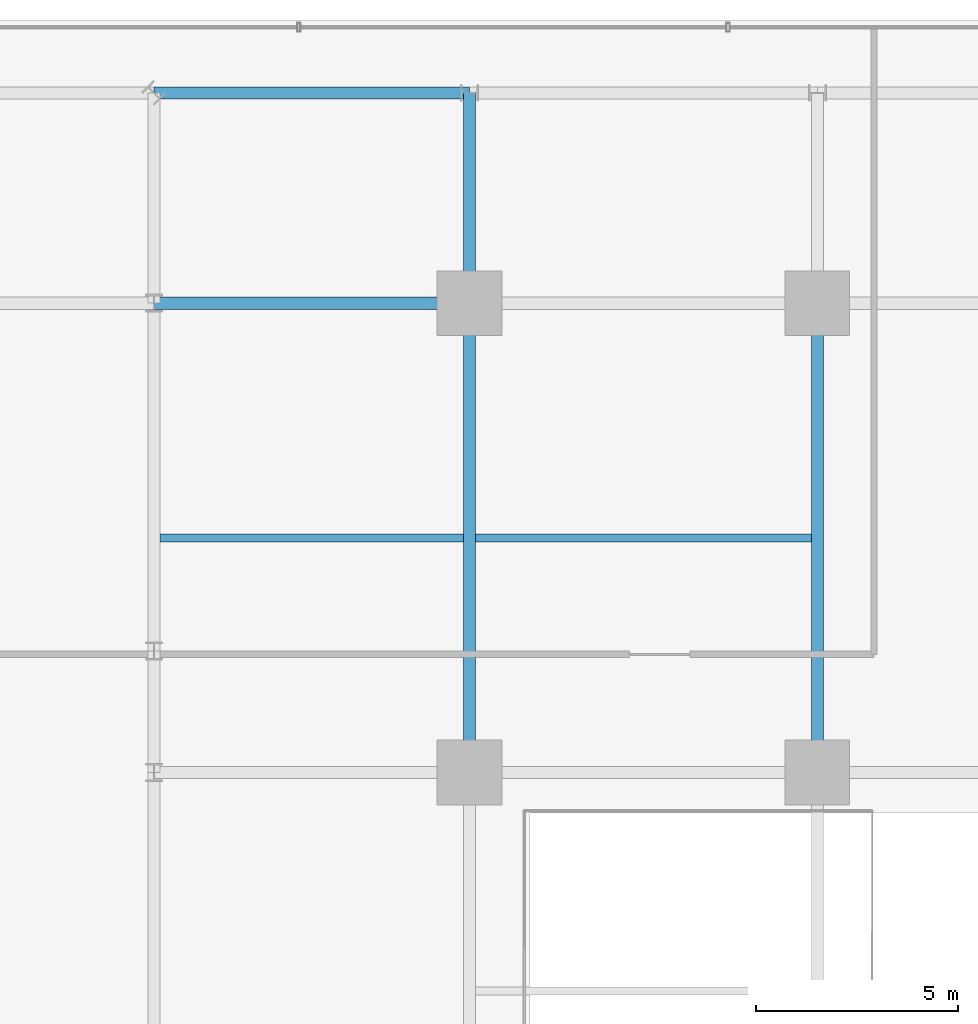
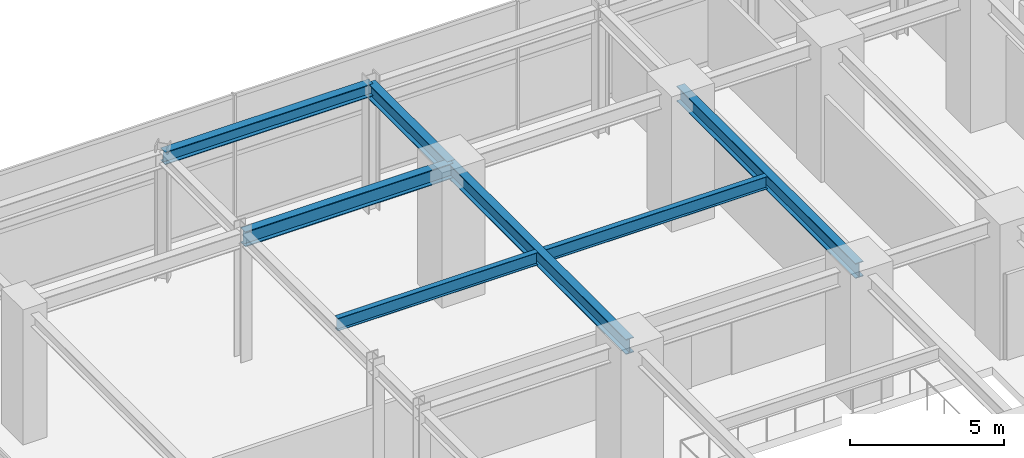
# One storey, part 15 of 32: 7 beams.
"""IFC4 building model written with IfcOpenShell, lengths in metres."""

from ifc_helpers import new_model, si_unit, direction, frame, origin, origin_2d, place, context, subcontext, project, spatial, i_section, extrude, source, transform, mapped, material, material_profile, profile_set, type_object, element, save


model = new_model("IFC4")

# Units and contexts
model_context = context("Model", 3, precision=1e-05, world=origin(), true_north=direction((0.0, 1.0)))
body_context = subcontext(model_context, "Body", "Model", "MODEL_VIEW")
ifc_project = project(units=[si_unit("LENGTHUNIT", "METRE"), si_unit("AREAUNIT", "SQUARE_METRE"), si_unit("VOLUMEUNIT", "CUBIC_METRE"), si_unit("PLANEANGLEUNIT", "RADIAN"), si_unit("MASSUNIT", "GRAM", prefix="KILO")], contexts=[model_context])

# Site, building, storey
site_placement = place(None, origin())
site = spatial("IfcSite", under=ifc_project, at=site_placement, CompositionType="ELEMENT")
building_placement = place(site_placement, origin())
building = spatial("IfcBuilding", under=site, at=building_placement, Name="Nahalor Promenade Grand Hotel", CompositionType="ELEMENT")
storey_placement = place(building_placement, frame((0.0, 0.0, 5.39990234375)))
storey = spatial("IfcBuildingStorey", under=building, at=storey_placement, Name="L01", CompositionType="ELEMENT", Elevation=5.39990234375)

# Beams
ifc_material = material(Name="Steel S355JR", Category="steel")
ifc_material_profile_1 = material_profile(ifc_material, i_section(OverallWidth=0.3, OverallDepth=0.6, WebThickness=0.0155, FlangeThickness=0.03, at=origin_2d()), Name="HEB 600")
ifc_profile_set_1 = profile_set([ifc_material_profile_1], Name="Steel S355JR")
beam_type_1 = type_object("IfcBeamType", Name="Beam-Girder-HEB600", PredefinedType="BEAM", material=ifc_profile_set_1)
shared_shape_1 = source(origin(), body_context, "Body", "SweptSolid", [
    extrude(i_section(OverallWidth=0.3, OverallDepth=0.6, WebThickness=0.0155, FlangeThickness=0.03, at=origin_2d()), origin(), (0.0, 0.0, 1.0), 7.800048828125),
])
beam_1_placement = place(storey_placement, frame((-24.800048828125, 17.0, 4.780029296875), z_axis=(1.0, 0.0, 0.0), x_axis=(0.0, 1.0, 0.0)))
element("IfcBeam", 1, at=beam_1_placement, inside=storey, type_object=beam_type_1, Name="BM-L01-GX-3-1", PredefinedType="BEAM", context=body_context, shape_type="MappedRepresentation", body=[
    mapped(shared_shape_1, transform((0.0, 0.0, 0.0), scale=1.0)),
])
shared_shape_2 = source(origin(), body_context, "Body", "SweptSolid", [
    extrude(i_section(OverallWidth=0.3, OverallDepth=0.6, WebThickness=0.0155, FlangeThickness=0.03, at=origin_2d()), origin(), (0.0, 0.0, 1.0), 5.199951171875),
])
beam_2_placement = place(storey_placement, frame((-17.0, 17.0, 4.780029296875), z_axis=(0.0, 1.0, 0.0), x_axis=(-1.0, 0.0, 0.0)))
element("IfcBeam", 2, at=beam_2_placement, inside=storey, type_object=beam_type_1, Name="BM-L01-GY-0-4", PredefinedType="BEAM", context=body_context, shape_type="MappedRepresentation", body=[
    mapped(shared_shape_2, transform((0.0, 0.0, 0.0), scale=1.0)),
])
shared_shape_3 = source(origin(), body_context, "Body", "SweptSolid", [
    extrude(i_section(OverallWidth=0.3, OverallDepth=0.6, WebThickness=0.0155, FlangeThickness=0.03, at=origin_2d()), origin(), (0.0, 0.0, 1.0), 11.60009765625),
])
for number, where, z_axis, x_axis, name in (
    (3, (-17.0, 5.39990234375, 4.780029296875), (0.0, 1.0, 0.0), (-1.0, 0.0, 0.0), "BM-L01-GY-0-3"),
    (4, (-8.39990234375, 5.39990234375, 4.780029296875), (0.0, 1.0, 0.0), (-1.0, 0.0, 0.0), "BM-L01-GY-1-3"),
):
    element("IfcBeam", number, at=place(storey_placement, frame(where, z_axis=z_axis, x_axis=x_axis)), inside=storey, type_object=beam_type_1, Name=name, PredefinedType="BEAM", context=body_context, shape_type="MappedRepresentation", body=[
        mapped(shared_shape_3, transform((0.0, 0.0, 0.0), scale=1.0)),
    ])
ifc_material_profile_2 = material_profile(ifc_material, i_section(OverallWidth=0.3, OverallDepth=0.5, WebThickness=0.0145, FlangeThickness=0.028, at=origin_2d()), Name="HEB 500")
ifc_profile_set_2 = profile_set([ifc_material_profile_2], Name="Steel S355JR")
beam_type_2 = type_object("IfcBeamType", Name="Beam-Spandrel-HEB500", PredefinedType="SPANDREL", material=ifc_profile_set_2)
shared_shape_4 = source(origin(), body_context, "Body", "SweptSolid", [
    extrude(i_section(OverallWidth=0.3, OverallDepth=0.5, WebThickness=0.0145, FlangeThickness=0.028, at=origin_2d()), origin(), (0.0, 0.0, 1.0), 7.800048828125),
])
beam_3_placement = place(storey_placement, frame((-17.0, 22.199951171875, 4.830078125), z_axis=(-1.0, 0.0, 0.0), x_axis=(0.0, -1.0, 0.0)))
element("IfcBeam", 5, at=beam_3_placement, inside=storey, type_object=beam_type_2, Name="BM-L01-SPC-NW-1", PredefinedType="SPANDREL", context=body_context, shape_type="MappedRepresentation", body=[
    mapped(shared_shape_4, transform((0.0, 0.0, 0.0), scale=1.0)),
])
ifc_material_profile_3 = material_profile(ifc_material, i_section(OverallWidth=0.2, OverallDepth=0.5, WebThickness=0.0102, FlangeThickness=0.016, at=origin_2d()), Name="IPE 500")
ifc_profile_set_3 = profile_set([ifc_material_profile_3], Name="Steel S355JR")
beam_type_3 = type_object("IfcBeamType", Name="Beam-Joist-IPE500", PredefinedType="JOIST", material=ifc_profile_set_3)
shared_shape_5 = source(origin(), body_context, "Body", "SweptSolid", [
    extrude(i_section(OverallWidth=0.2, OverallDepth=0.5, WebThickness=0.0102, FlangeThickness=0.016, at=origin_2d()), origin(), (0.0, 0.0, 1.0), 7.5),
])
beam_4_placement = place(storey_placement, frame((-24.64990234375, 11.199951171875, 4.830078125), z_axis=(1.0, 0.0, 0.0), x_axis=(0.0, 1.0, 0.0)))
element("IfcBeam", 6, at=beam_4_placement, inside=storey, type_object=beam_type_3, Name="BM-L01-JSW-1-0", PredefinedType="JOIST", context=body_context, shape_type="MappedRepresentation", body=[
    mapped(shared_shape_5, transform((0.0, 0.0, 0.0), scale=1.0)),
])
shared_shape_6 = source(origin(), body_context, "Body", "SweptSolid", [
    extrude(i_section(OverallWidth=0.2, OverallDepth=0.5, WebThickness=0.0102, FlangeThickness=0.016, at=origin_2d()), origin(), (0.0, 0.0, 1.0), 8.300048828125),
])
beam_5_placement = place(storey_placement, frame((-16.85009765625, 11.199951171875, 4.830078125), z_axis=(1.0, 0.0, 0.0), x_axis=(0.0, 1.0, 0.0)))
element("IfcBeam", 7, at=beam_5_placement, inside=storey, type_object=beam_type_3, Name="BM-L01-JSW-1-1", PredefinedType="JOIST", context=body_context, shape_type="MappedRepresentation", body=[
    mapped(shared_shape_6, transform((0.0, 0.0, 0.0), scale=1.0)),
])

save(model, "model.ifc")
